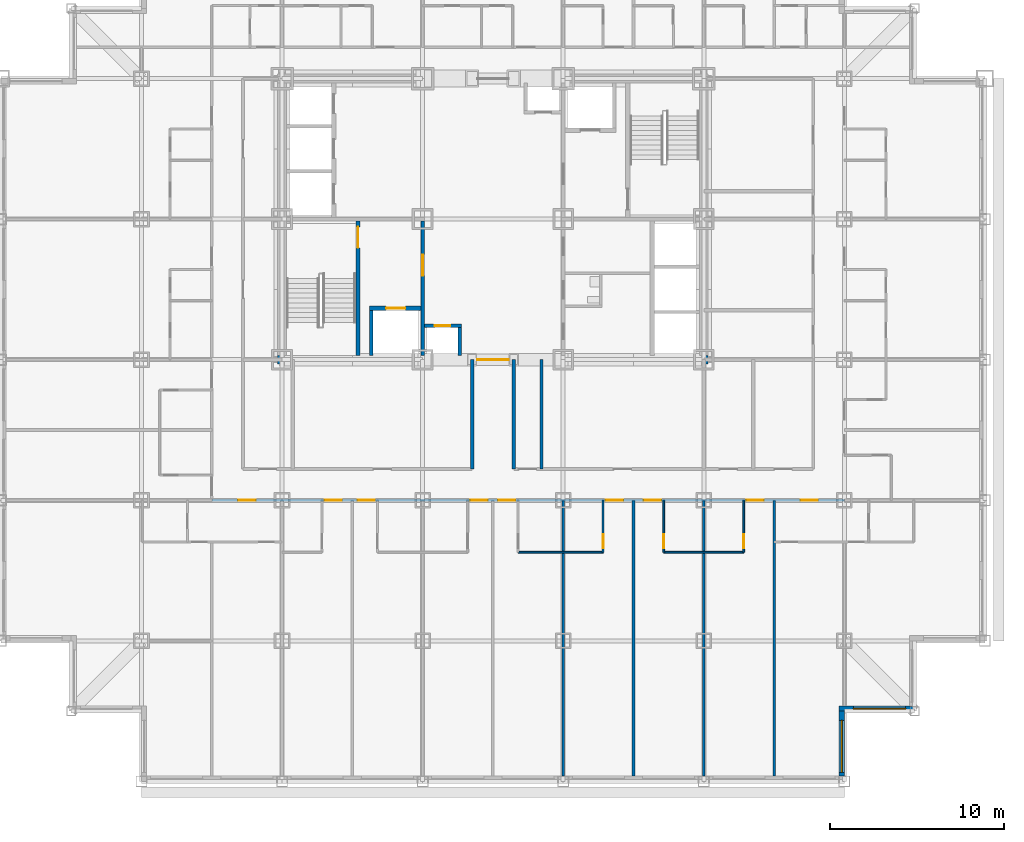
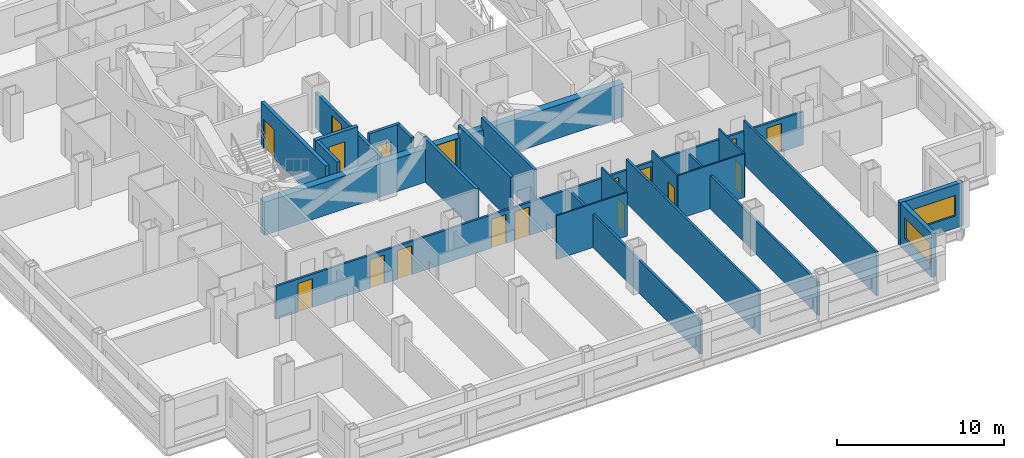
# One storey, part 5 of 12: 22 walls, 17 doors, 2 windows, 19 openings.
"""IFC4 building model written with IfcOpenShell, lengths in metres."""

from ifc_helpers import new_model, si_unit, direction, frame, frame_2d, origin, place, context, subcontext, project, spatial, rectangle, extrude, material, layer, layer_set, type_object, element, fill, save


model = new_model("IFC4")

# Units and contexts
model_context = context("Model", 3, precision=1e-05, world=origin(), true_north=direction((0.0, 1.0)))
body_context = subcontext(model_context, "Body", "Model", "MODEL_VIEW")
ifc_project = project(units=[si_unit("LENGTHUNIT", "METRE"), si_unit("AREAUNIT", "SQUARE_METRE"), si_unit("VOLUMEUNIT", "CUBIC_METRE"), si_unit("PLANEANGLEUNIT", "RADIAN"), si_unit("MASSUNIT", "GRAM", prefix="KILO")], contexts=[model_context])

# Site, building, storey
site_placement = place(None, origin())
site = spatial("IfcSite", under=ifc_project, at=site_placement, CompositionType="ELEMENT")
building_placement = place(site_placement, origin())
building = spatial("IfcBuilding", under=site, at=building_placement, Name="Kopane Lantern Tower", CompositionType="ELEMENT")
storey_placement = place(building_placement, frame((0.0, 0.0, 77.199951171875)))
storey = spatial("IfcBuildingStorey", under=building, at=storey_placement, Name="L19", CompositionType="ELEMENT", Elevation=77.199951171875)

# Wall
ifc_material_1 = material(Name="Moisture-resistant board on steel studs", Category="steel")
ifc_layer_1 = layer(ifc_material_1, 0.10009765625)
ifc_layer_set_1 = layer_set([ifc_layer_1], Name="BATHROOM WALL 100")
wall_type_1 = type_object("IfcWallType", Name="BATHROOM WALL 100", PredefinedType="PARTITIONING", material=ifc_layer_set_1)
wall_1_placement = place(storey_placement, frame((29.800048828125, 13.199951171875, 0.0), z_axis=(0.0, 0.0, 1.0), x_axis=(1.0, 0.0, 0.0)))
element("IfcWall", 1, at=wall_1_placement, inside=storey, type_object=wall_type_1, Name="Bathroom Wall 100 L19", PredefinedType="PARTITIONING", context=body_context, shape_type="SweptSolid", body=[
    extrude(rectangle(XDim=4.89990234375, YDim=0.10009765625, at=frame_2d((2.449951171875, 0.0))), origin(), (0.0, 0.0, 1.0), 3.18994140625),
])

# Wall, opening, door
wall_2_placement = place(storey_placement, frame((34.699951171875, 16.199951171875, 0.0), z_axis=(0.0, 0.0, 1.0), x_axis=(0.0, -1.0, 0.0)))
wall_2 = element("IfcWall", 2, at=wall_2_placement, inside=storey, type_object=wall_type_1, Name="Bathroom Wall 100 L19", PredefinedType="PARTITIONING", context=body_context, shape_type="SweptSolid", body=[
    extrude(rectangle(XDim=3.0, YDim=0.10009765625, at=frame_2d((1.5, 0.0))), origin(), (0.0, 0.0, 1.0), 3.18994140625),
])
opening_1_placement = place(wall_2_placement, frame((1.949951171875, 0.0, 0.0)))
opening_1 = element("IfcOpeningElement", 3, at=opening_1_placement, cuts=wall_2, Name="Opening L19-021", PredefinedType="OPENING", context=body_context, shape_type="SweptSolid", body=[
    extrude(rectangle(XDim=0.800048828125, YDim=2.10009765625, at=frame_2d((0.39990234375, 1.050048828125))), frame((0.0, 0.06005859375, 0.0), z_axis=(0.0, -1.0, 0.0), x_axis=(1.0, 0.0, 0.0)), (0.0, 0.0, 1.0), 0.1201171875),
])
ifc_material_2 = material(Name="Timber door set", Category="wood")
door_type_1 = type_object("IfcDoorType", Name="DOOR D2 800x2100", OperationType="SINGLE_SWING_LEFT", PredefinedType="DOOR", material=ifc_material_2)
door_1_placement = place(opening_1_placement, origin())
door_1 = element("IfcDoor", 4, at=door_1_placement, inside=storey, type_object=door_type_1, Name="Door L19-021", OperationType="SINGLE_SWING_LEFT", OverallHeight=2.10009765625, OverallWidth=0.800048828125, PredefinedType="DOOR", context=body_context, shape_type="SweptSolid", body=[
    extrude(rectangle(XDim=0.800048828125, YDim=2.10009765625, at=frame_2d((0.39990234375, 1.050048828125))), frame((0.0, 0.02490234375, 0.0), z_axis=(0.0, -1.0, 0.0), x_axis=(1.0, 0.0, 0.0)), (0.0, 0.0, 1.0), 0.050048828125),
])
fill(opening_1, door_1)

# Wall
wall_3_placement = place(storey_placement, frame((38.199951171875, 13.199951171875, 0.0), z_axis=(0.0, 0.0, 1.0), x_axis=(1.0, 0.0, 0.0)))
element("IfcWall", 5, at=wall_3_placement, inside=storey, type_object=wall_type_1, Name="Bathroom Wall 100 L19", PredefinedType="PARTITIONING", context=body_context, shape_type="SweptSolid", body=[
    extrude(rectangle(XDim=4.60009765625, YDim=0.10009765625, at=frame_2d((2.300048828125, 0.0))), origin(), (0.0, 0.0, 1.0), 3.18994140625),
])

# Wall, opening, door
wall_4_placement = place(storey_placement, frame((38.199951171875, 16.199951171875, 0.0), z_axis=(0.0, 0.0, 1.0), x_axis=(0.0, -1.0, 0.0)))
wall_4 = element("IfcWall", 6, at=wall_4_placement, inside=storey, type_object=wall_type_1, Name="Bathroom Wall 100 L19", PredefinedType="PARTITIONING", context=body_context, shape_type="SweptSolid", body=[
    extrude(rectangle(XDim=3.0, YDim=0.10009765625, at=frame_2d((1.5, 0.0))), origin(), (0.0, 0.0, 1.0), 3.18994140625),
])
opening_2_placement = place(wall_4_placement, frame((1.949951171875, 0.0, 0.0)))
opening_2 = element("IfcOpeningElement", 7, at=opening_2_placement, cuts=wall_4, Name="Opening L19-023", PredefinedType="OPENING", context=body_context, shape_type="SweptSolid", body=[
    extrude(rectangle(XDim=0.800048828125, YDim=2.10009765625, at=frame_2d((0.39990234375, 1.050048828125))), frame((0.0, 0.06005859375, 0.0), z_axis=(0.0, -1.0, 0.0), x_axis=(1.0, 0.0, 0.0)), (0.0, 0.0, 1.0), 0.1201171875),
])
door_2_placement = place(opening_2_placement, origin())
door_2 = element("IfcDoor", 8, at=door_2_placement, inside=storey, type_object=door_type_1, Name="Door L19-023", OperationType="SINGLE_SWING_RIGHT", OverallHeight=2.10009765625, OverallWidth=0.800048828125, PredefinedType="DOOR", context=body_context, shape_type="SweptSolid", body=[
    extrude(rectangle(XDim=0.800048828125, YDim=2.10009765625, at=frame_2d((0.39990234375, 1.050048828125))), frame((0.0, 0.02490234375, 0.0), z_axis=(0.0, -1.0, 0.0), x_axis=(1.0, 0.0, 0.0)), (0.0, 0.0, 1.0), 0.050048828125),
])
fill(opening_2, door_2)

wall_5_placement = place(storey_placement, frame((42.800048828125, 16.199951171875, 0.0), z_axis=(0.0, 0.0, 1.0), x_axis=(0.0, -1.0, 0.0)))
wall_5 = element("IfcWall", 9, at=wall_5_placement, inside=storey, type_object=wall_type_1, Name="Bathroom Wall 100 L19", PredefinedType="PARTITIONING", context=body_context, shape_type="SweptSolid", body=[
    extrude(rectangle(XDim=3.0, YDim=0.10009765625, at=frame_2d((1.5, 0.0))), origin(), (0.0, 0.0, 1.0), 3.18994140625),
])
opening_3_placement = place(wall_5_placement, frame((1.949951171875, 0.0, 0.0)))
opening_3 = element("IfcOpeningElement", 10, at=opening_3_placement, cuts=wall_5, Name="Opening L19-025", PredefinedType="OPENING", context=body_context, shape_type="SweptSolid", body=[
    extrude(rectangle(XDim=0.800048828125, YDim=2.10009765625, at=frame_2d((0.39990234375, 1.050048828125))), frame((0.0, 0.06005859375, 0.0), z_axis=(0.0, -1.0, 0.0), x_axis=(1.0, 0.0, 0.0)), (0.0, 0.0, 1.0), 0.1201171875),
])
door_3_placement = place(opening_3_placement, origin())
door_3 = element("IfcDoor", 11, at=door_3_placement, inside=storey, type_object=door_type_1, Name="Door L19-025", OperationType="SINGLE_SWING_LEFT", OverallHeight=2.10009765625, OverallWidth=0.800048828125, PredefinedType="DOOR", context=body_context, shape_type="SweptSolid", body=[
    extrude(rectangle(XDim=0.800048828125, YDim=2.10009765625, at=frame_2d((0.39990234375, 1.050048828125))), frame((0.0, 0.02490234375, 0.0), z_axis=(0.0, -1.0, 0.0), x_axis=(1.0, 0.0, 0.0)), (0.0, 0.0, 1.0), 0.050048828125),
])
fill(opening_3, door_3)

ifc_material_3 = material(Name="Gypsum shaft wall EI 120", Category="gypsum")
ifc_layer_2 = layer(ifc_material_3, 0.5)
ifc_layer_set_2 = layer_set([ifc_layer_2], Name="CORE PERIMETER WALL 500 EI 120")
wall_type_2 = type_object("IfcWallType", Name="CORE PERIMETER WALL 500 EI 120", PredefinedType="SOLIDWALL", material=ifc_layer_set_2)
wall_6_placement = place(storey_placement, frame((15.949951171875, 24.300048828125, 0.0), z_axis=(0.0, 0.0, 1.0), x_axis=(1.0, 0.0, 0.0)))
wall_6 = element("IfcWall", 12, at=wall_6_placement, inside=storey, type_object=wall_type_2, Name="Core shaft wall L19 PS", PredefinedType="SOLIDWALL", context=body_context, shape_type="SweptSolid", body=[
    extrude(rectangle(XDim=24.800048828125, YDim=0.5, at=frame_2d((12.39990234375, 0.0))), origin(), (0.0, 0.0, 1.0), 2.427734375),
])
opening_4_placement = place(wall_6_placement, frame((11.5, 0.0, 0.0)))
opening_4 = element("IfcOpeningElement", 13, at=opening_4_placement, cuts=wall_6, Name="Opening 19.CE-S", PredefinedType="OPENING", context=body_context, shape_type="SweptSolid", body=[
    extrude(rectangle(XDim=1.800048828125, YDim=2.39990234375, at=frame_2d((0.89990234375, 1.199951171875))), frame((0.0, 0.260009765625, 0.0), z_axis=(0.0, -1.0, 0.0), x_axis=(1.0, 0.0, 0.0)), (0.0, 0.0, 1.0), 0.52001953125),
])
ifc_material_4 = material(Name="Steel door set", Category="steel")
door_type_2 = type_object("IfcDoorType", Name="CORE ENTRY DOOR 1800x2400 FD60S", OperationType="DOUBLE_DOOR_SINGLE_SWING", PredefinedType="DOOR", material=ifc_material_4)
door_4_placement = place(opening_4_placement, origin())
door_4 = element("IfcDoor", 14, at=door_4_placement, inside=storey, type_object=door_type_2, Name="Core entry door L19 south", OperationType="DOUBLE_DOOR_SINGLE_SWING", OverallHeight=2.39990234375, OverallWidth=1.800048828125, PredefinedType="DOOR", context=body_context, shape_type="SweptSolid", body=[
    extrude(rectangle(XDim=1.800048828125, YDim=2.39990234375, at=frame_2d((0.89990234375, 1.199951171875))), frame((0.0, 0.02490234375, 0.0), z_axis=(0.0, -1.0, 0.0), x_axis=(1.0, 0.0, 0.0)), (0.0, 0.0, 1.0), 0.050048828125),
])
fill(opening_4, door_4)

ifc_material_5 = material(Name="Gypsum shaft wall EI 120", Category="gypsum")
ifc_layer_3 = layer(ifc_material_5, 0.25)
ifc_layer_set_3 = layer_set([ifc_layer_3], Name="CORE SHAFT WALL 250 EI 120")
wall_type_3 = type_object("IfcWallType", Name="CORE SHAFT WALL 250 EI 120", PredefinedType="SOLIDWALL", material=ifc_layer_set_3)
wall_7_placement = place(storey_placement, frame((20.574951171875, 24.550048828125, 0.0), z_axis=(0.0, 0.0, 1.0), x_axis=(0.0, 1.0, 0.0)))
wall_7 = element("IfcWall", 15, at=wall_7_placement, inside=storey, type_object=wall_type_3, Name="Core shaft wall L19 XST1", PredefinedType="SOLIDWALL", context=body_context, shape_type="SweptSolid", body=[
    extrude(rectangle(XDim=7.75, YDim=0.25, at=frame_2d((3.875, 0.0))), origin(), (0.0, 0.0, 1.0), 3.18994140625),
])
opening_5_placement = place(wall_7_placement, frame((6.199951171875, 0.0, 0.0)))
opening_5 = element("IfcOpeningElement", 16, at=opening_5_placement, cuts=wall_7, Name="Opening 19.SD1", PredefinedType="OPENING", context=body_context, shape_type="SweptSolid", body=[
    extrude(rectangle(XDim=1.199951171875, YDim=2.10009765625, at=frame_2d((0.60009765625, 1.050048828125))), frame((0.0, 0.135009765625, 0.0), z_axis=(0.0, -1.0, 0.0), x_axis=(1.0, 0.0, 0.0)), (0.0, 0.0, 1.0), 0.27001953125),
])
ifc_material_6 = material(Name="Steel door set", Category="steel")
door_type_3 = type_object("IfcDoorType", Name="STAIR DOOR 1200x2100 FD60S", OperationType="SINGLE_SWING_LEFT", PredefinedType="DOOR", material=ifc_material_6)
door_5_placement = place(opening_5_placement, origin())
door_5 = element("IfcDoor", 17, at=door_5_placement, inside=storey, type_object=door_type_3, Name="Stair door ST1 L19", OperationType="SINGLE_SWING_LEFT", OverallHeight=2.10009765625, OverallWidth=1.199951171875, PredefinedType="DOOR", context=body_context, shape_type="SweptSolid", body=[
    extrude(rectangle(XDim=1.199951171875, YDim=2.10009765625, at=frame_2d((0.60009765625, 1.050048828125))), frame((0.0, 0.02490234375, 0.0), z_axis=(0.0, -1.0, 0.0), x_axis=(1.0, 0.0, 0.0)), (0.0, 0.0, 1.0), 0.050048828125),
])
fill(opening_5, door_5)

wall_8_placement = place(storey_placement, frame((21.25, 27.27490234375, 0.0), z_axis=(0.0, 0.0, 1.0), x_axis=(1.0, 0.0, 0.0)))
wall_8 = element("IfcWall", 18, at=wall_8_placement, inside=storey, type_object=wall_type_3, Name="Core shaft wall L19 YLF1", PredefinedType="SOLIDWALL", context=body_context, shape_type="SweptSolid", body=[
    extrude(rectangle(XDim=2.949951171875, YDim=0.25, at=frame_2d((1.47509765625, 0.0))), origin(), (0.0, 0.0, 1.0), 3.18994140625),
])
opening_6_placement = place(wall_8_placement, frame((0.949951171875, 0.0, 0.0)))
opening_6 = element("IfcOpeningElement", 19, at=opening_6_placement, cuts=wall_8, Name="Opening 19.LD-LF1", PredefinedType="OPENING", context=body_context, shape_type="SweptSolid", body=[
    extrude(rectangle(XDim=1.10009765625, YDim=2.39990234375, at=frame_2d((0.550048828125, 1.199951171875))), frame((0.0, 0.135009765625, 0.0), z_axis=(0.0, -1.0, 0.0), x_axis=(1.0, 0.0, 0.0)), (0.0, 0.0, 1.0), 0.27001953125),
])
ifc_material_7 = material(Name="Steel door set", Category="steel")
door_type_4 = type_object("IfcDoorType", Name="LIFT LANDING DOOR 1100x2400 FD60", OperationType="DOUBLE_DOOR_SLIDING", PredefinedType="DOOR", material=ifc_material_7)
door_6_placement = place(opening_6_placement, origin())
door_6 = element("IfcDoor", 20, at=door_6_placement, inside=storey, type_object=door_type_4, Name="Landing door LF1 L19", OperationType="DOUBLE_DOOR_SLIDING", OverallHeight=2.39990234375, OverallWidth=1.10009765625, PredefinedType="DOOR", context=body_context, shape_type="SweptSolid", body=[
    extrude(rectangle(XDim=1.10009765625, YDim=2.39990234375, at=frame_2d((0.550048828125, 1.199951171875))), frame((0.0, 0.02490234375, 0.0), z_axis=(0.0, -1.0, 0.0), x_axis=(1.0, 0.0, 0.0)), (0.0, 0.0, 1.0), 0.050048828125),
])
fill(opening_6, door_6)

# Wall, openings, doors
ifc_material_8 = material(Name="Gypsum board on steel studs", Category="steel")
ifc_layer_4 = layer(ifc_material_8, 0.14990234375)
ifc_layer_set_4 = layer_set([ifc_layer_4], Name="CORRIDOR WALL 150 EI 60")
wall_type_4 = type_object("IfcWallType", Name="CORRIDOR WALL 150 EI 60", PredefinedType="PARTITIONING", material=ifc_layer_set_4)
wall_9_placement = place(storey_placement, frame((12.14990234375, 16.199951171875, 0.0), z_axis=(0.0, 0.0, 1.0), x_axis=(1.0, 0.0, 0.0)))
wall_9 = element("IfcWall", 21, at=wall_9_placement, inside=storey, type_object=wall_type_4, Name="Corridor Wall 150 Ei 60 L19", PredefinedType="PARTITIONING", context=body_context, shape_type="SweptSolid", body=[
    extrude(rectangle(XDim=36.4501953125, YDim=0.14990234375, at=frame_2d((18.22509765625, 0.0))), origin(), (0.0, 0.0, 1.0), 2.427734375),
])
opening_7_placement = place(wall_9_placement, frame((6.5, 0.0, 0.0)))
opening_7 = element("IfcOpeningElement", 22, at=opening_7_placement, cuts=wall_9, Name="Opening L19-014", PredefinedType="OPENING", context=body_context, shape_type="SweptSolid", body=[
    extrude(rectangle(XDim=1.0, YDim=2.10009765625, at=frame_2d((0.5, 1.050048828125))), frame((0.0, 0.0849609375, 0.0), z_axis=(0.0, -1.0, 0.0), x_axis=(1.0, 0.0, 0.0)), (0.0, 0.0, 1.0), 0.169921875),
])
opening_8_placement = place(wall_9_placement, frame((8.39990234375, 0.0, 0.0)))
opening_8 = element("IfcOpeningElement", 23, at=opening_8_placement, cuts=wall_9, Name="Opening L19-016", PredefinedType="OPENING", context=body_context, shape_type="SweptSolid", body=[
    extrude(rectangle(XDim=1.0, YDim=2.10009765625, at=frame_2d((0.5, 1.050048828125))), frame((0.0, 0.0849609375, 0.0), z_axis=(0.0, -1.0, 0.0), x_axis=(1.0, 0.0, 0.0)), (0.0, 0.0, 1.0), 0.169921875),
])
opening_9_placement = place(wall_9_placement, frame((14.89990234375, 0.0, 0.0)))
opening_9 = element("IfcOpeningElement", 24, at=opening_9_placement, cuts=wall_9, Name="Opening L19-018", PredefinedType="OPENING", context=body_context, shape_type="SweptSolid", body=[
    extrude(rectangle(XDim=1.0, YDim=2.10009765625, at=frame_2d((0.5, 1.050048828125))), frame((0.0, 0.0849609375, 0.0), z_axis=(0.0, -1.0, 0.0), x_axis=(1.0, 0.0, 0.0)), (0.0, 0.0, 1.0), 0.169921875),
])
opening_10_placement = place(wall_9_placement, frame((16.5, 0.0, 0.0)))
opening_10 = element("IfcOpeningElement", 25, at=opening_10_placement, cuts=wall_9, Name="Opening L19-020", PredefinedType="OPENING", context=body_context, shape_type="SweptSolid", body=[
    extrude(rectangle(XDim=1.0, YDim=2.10009765625, at=frame_2d((0.5, 1.050048828125))), frame((0.0, 0.0849609375, 0.0), z_axis=(0.0, -1.0, 0.0), x_axis=(1.0, 0.0, 0.0)), (0.0, 0.0, 1.0), 0.169921875),
])
opening_11_placement = place(wall_9_placement, frame((22.699951171875, 0.0, 0.0)))
opening_11 = element("IfcOpeningElement", 26, at=opening_11_placement, cuts=wall_9, Name="Opening L19-022", PredefinedType="OPENING", context=body_context, shape_type="SweptSolid", body=[
    extrude(rectangle(XDim=1.0, YDim=2.10009765625, at=frame_2d((0.5, 1.050048828125))), frame((0.0, 0.0849609375, 0.0), z_axis=(0.0, -1.0, 0.0), x_axis=(1.0, 0.0, 0.0)), (0.0, 0.0, 1.0), 0.169921875),
])
opening_12_placement = place(wall_9_placement, frame((24.89990234375, 0.0, 0.0)))
opening_12 = element("IfcOpeningElement", 27, at=opening_12_placement, cuts=wall_9, Name="Opening L19-024", PredefinedType="OPENING", context=body_context, shape_type="SweptSolid", body=[
    extrude(rectangle(XDim=1.0, YDim=2.10009765625, at=frame_2d((0.5, 1.050048828125))), frame((0.0, 0.0849609375, 0.0), z_axis=(0.0, -1.0, 0.0), x_axis=(1.0, 0.0, 0.0)), (0.0, 0.0, 1.0), 0.169921875),
])
opening_13_placement = place(wall_9_placement, frame((30.800048828125, 0.0, 0.0)))
opening_13 = element("IfcOpeningElement", 28, at=opening_13_placement, cuts=wall_9, Name="Opening L19-026", PredefinedType="OPENING", context=body_context, shape_type="SweptSolid", body=[
    extrude(rectangle(XDim=1.0, YDim=2.10009765625, at=frame_2d((0.5, 1.050048828125))), frame((0.0, 0.0849609375, 0.0), z_axis=(0.0, -1.0, 0.0), x_axis=(1.0, 0.0, 0.0)), (0.0, 0.0, 1.0), 0.169921875),
])
opening_14_placement = place(wall_9_placement, frame((1.52490234375, 0.0, 0.0)))
opening_14 = element("IfcOpeningElement", 29, at=opening_14_placement, cuts=wall_9, Name="Opening L19-059", PredefinedType="OPENING", context=body_context, shape_type="SweptSolid", body=[
    extrude(rectangle(XDim=1.0, YDim=2.10009765625, at=frame_2d((0.5, 1.050048828125))), frame((0.0, 0.0849609375, 0.0), z_axis=(0.0, -1.0, 0.0), x_axis=(1.0, 0.0, 0.0)), (0.0, 0.0, 1.0), 0.169921875),
])
opening_15_placement = place(wall_9_placement, frame((33.925048828125, 0.0, 0.0)))
opening_15 = element("IfcOpeningElement", 30, at=opening_15_placement, cuts=wall_9, Name="Opening L19-063", PredefinedType="OPENING", context=body_context, shape_type="SweptSolid", body=[
    extrude(rectangle(XDim=1.0, YDim=2.10009765625, at=frame_2d((0.5, 1.050048828125))), frame((0.0, 0.0849609375, 0.0), z_axis=(0.0, -1.0, 0.0), x_axis=(1.0, 0.0, 0.0)), (0.0, 0.0, 1.0), 0.169921875),
])
ifc_material_9 = material(Name="Steel door set", Category="steel")
door_type_5 = type_object("IfcDoorType", Name="DOOR D1 1000x2100 FD30S", OperationType="SINGLE_SWING_LEFT", PredefinedType="DOOR", material=ifc_material_9)
door_7_placement = place(opening_7_placement, origin())
door_7 = element("IfcDoor", 31, at=door_7_placement, inside=storey, type_object=door_type_5, Name="Door L19-014", OperationType="SINGLE_SWING_RIGHT", OverallHeight=2.10009765625, OverallWidth=1.0, PredefinedType="DOOR", context=body_context, shape_type="SweptSolid", body=[
    extrude(rectangle(XDim=1.0, YDim=2.10009765625, at=frame_2d((0.5, 1.050048828125))), frame((0.0, 0.02490234375, 0.0), z_axis=(0.0, -1.0, 0.0), x_axis=(1.0, 0.0, 0.0)), (0.0, 0.0, 1.0), 0.050048828125),
])
fill(opening_7, door_7)
door_8_placement = place(opening_8_placement, origin())
door_8 = element("IfcDoor", 32, at=door_8_placement, inside=storey, type_object=door_type_5, Name="Door L19-016", OperationType="SINGLE_SWING_LEFT", OverallHeight=2.10009765625, OverallWidth=1.0, PredefinedType="DOOR", context=body_context, shape_type="SweptSolid", body=[
    extrude(rectangle(XDim=1.0, YDim=2.10009765625, at=frame_2d((0.5, 1.050048828125))), frame((0.0, 0.02490234375, 0.0), z_axis=(0.0, -1.0, 0.0), x_axis=(1.0, 0.0, 0.0)), (0.0, 0.0, 1.0), 0.050048828125),
])
fill(opening_8, door_8)
door_9_placement = place(opening_9_placement, origin())
door_9 = element("IfcDoor", 33, at=door_9_placement, inside=storey, type_object=door_type_5, Name="Door L19-018", OperationType="SINGLE_SWING_RIGHT", OverallHeight=2.10009765625, OverallWidth=1.0, PredefinedType="DOOR", context=body_context, shape_type="SweptSolid", body=[
    extrude(rectangle(XDim=1.0, YDim=2.10009765625, at=frame_2d((0.5, 1.050048828125))), frame((0.0, 0.02490234375, 0.0), z_axis=(0.0, -1.0, 0.0), x_axis=(1.0, 0.0, 0.0)), (0.0, 0.0, 1.0), 0.050048828125),
])
fill(opening_9, door_9)
door_10_placement = place(opening_10_placement, origin())
door_10 = element("IfcDoor", 34, at=door_10_placement, inside=storey, type_object=door_type_5, Name="Door L19-020", OperationType="SINGLE_SWING_LEFT", OverallHeight=2.10009765625, OverallWidth=1.0, PredefinedType="DOOR", context=body_context, shape_type="SweptSolid", body=[
    extrude(rectangle(XDim=1.0, YDim=2.10009765625, at=frame_2d((0.5, 1.050048828125))), frame((0.0, 0.02490234375, 0.0), z_axis=(0.0, -1.0, 0.0), x_axis=(1.0, 0.0, 0.0)), (0.0, 0.0, 1.0), 0.050048828125),
])
fill(opening_10, door_10)
door_11_placement = place(opening_11_placement, origin())
door_11 = element("IfcDoor", 35, at=door_11_placement, inside=storey, type_object=door_type_5, Name="Door L19-022", OperationType="SINGLE_SWING_RIGHT", OverallHeight=2.10009765625, OverallWidth=1.0, PredefinedType="DOOR", context=body_context, shape_type="SweptSolid", body=[
    extrude(rectangle(XDim=1.0, YDim=2.10009765625, at=frame_2d((0.5, 1.050048828125))), frame((0.0, 0.02490234375, 0.0), z_axis=(0.0, -1.0, 0.0), x_axis=(1.0, 0.0, 0.0)), (0.0, 0.0, 1.0), 0.050048828125),
])
fill(opening_11, door_11)
door_12_placement = place(opening_12_placement, origin())
door_12 = element("IfcDoor", 36, at=door_12_placement, inside=storey, type_object=door_type_5, Name="Door L19-024", OperationType="SINGLE_SWING_LEFT", OverallHeight=2.10009765625, OverallWidth=1.0, PredefinedType="DOOR", context=body_context, shape_type="SweptSolid", body=[
    extrude(rectangle(XDim=1.0, YDim=2.10009765625, at=frame_2d((0.5, 1.050048828125))), frame((0.0, 0.02490234375, 0.0), z_axis=(0.0, -1.0, 0.0), x_axis=(1.0, 0.0, 0.0)), (0.0, 0.0, 1.0), 0.050048828125),
])
fill(opening_12, door_12)
door_13_placement = place(opening_13_placement, origin())
door_13 = element("IfcDoor", 37, at=door_13_placement, inside=storey, type_object=door_type_5, Name="Door L19-026", OperationType="SINGLE_SWING_RIGHT", OverallHeight=2.10009765625, OverallWidth=1.0, PredefinedType="DOOR", context=body_context, shape_type="SweptSolid", body=[
    extrude(rectangle(XDim=1.0, YDim=2.10009765625, at=frame_2d((0.5, 1.050048828125))), frame((0.0, 0.02490234375, 0.0), z_axis=(0.0, -1.0, 0.0), x_axis=(1.0, 0.0, 0.0)), (0.0, 0.0, 1.0), 0.050048828125),
])
fill(opening_13, door_13)
door_14_placement = place(opening_14_placement, origin())
door_14 = element("IfcDoor", 38, at=door_14_placement, inside=storey, type_object=door_type_5, Name="Door L19-059", OperationType="SINGLE_SWING_LEFT", OverallHeight=2.10009765625, OverallWidth=1.0, PredefinedType="DOOR", context=body_context, shape_type="SweptSolid", body=[
    extrude(rectangle(XDim=1.0, YDim=2.10009765625, at=frame_2d((0.5, 1.050048828125))), frame((0.0, 0.02490234375, 0.0), z_axis=(0.0, -1.0, 0.0), x_axis=(1.0, 0.0, 0.0)), (0.0, 0.0, 1.0), 0.050048828125),
])
fill(opening_14, door_14)
door_15_placement = place(opening_15_placement, origin())
door_15 = element("IfcDoor", 39, at=door_15_placement, inside=storey, type_object=door_type_5, Name="Door L19-063", OperationType="SINGLE_SWING_RIGHT", OverallHeight=2.10009765625, OverallWidth=1.0, PredefinedType="DOOR", context=body_context, shape_type="SweptSolid", body=[
    extrude(rectangle(XDim=1.0, YDim=2.10009765625, at=frame_2d((0.5, 1.050048828125))), frame((0.0, 0.02490234375, 0.0), z_axis=(0.0, -1.0, 0.0), x_axis=(1.0, 0.0, 0.0)), (0.0, 0.0, 1.0), 0.050048828125),
])
fill(opening_15, door_15)

# Walls
ifc_material_10 = material(Name="Gypsum board on steel studs", Category="steel")
ifc_layer_5 = layer(ifc_material_10, 0.14990234375)
ifc_layer_set_5 = layer_set([ifc_layer_5], Name="DEMISING WALL 150 EI 60")
wall_type_5 = type_object("IfcWallType", Name="DEMISING WALL 150 EI 60", PredefinedType="PARTITIONING", material=ifc_layer_set_5)
wall_10_placement = place(storey_placement, frame((32.39990234375, 16.199951171875, 0.0), z_axis=(0.0, 0.0, 1.0), x_axis=(0.0, -1.0, 0.0)))
element("IfcWall", 40, at=wall_10_placement, inside=storey, type_object=wall_type_5, Name="Demising Wall 150 Ei 60 L19", PredefinedType="PARTITIONING", context=body_context, shape_type="SweptSolid", body=[
    extrude(rectangle(XDim=15.89990234375, YDim=0.14990234375, at=frame_2d((7.949951171875, 0.0))), origin(), (0.0, 0.0, 1.0), 2.427734375),
])
wall_11_placement = place(storey_placement, frame((36.449951171875, 16.199951171875, 0.0), z_axis=(0.0, 0.0, 1.0), x_axis=(0.0, -1.0, 0.0)))
element("IfcWall", 41, at=wall_11_placement, inside=storey, type_object=wall_type_5, Name="Demising Wall 150 Ei 60 L19", PredefinedType="PARTITIONING", context=body_context, shape_type="SweptSolid", body=[
    extrude(rectangle(XDim=15.89990234375, YDim=0.14990234375, at=frame_2d((7.949951171875, 0.0))), origin(), (0.0, 0.0, 1.0), 3.18994140625),
])
wall_12_placement = place(storey_placement, frame((40.5, 16.199951171875, 0.0), z_axis=(0.0, 0.0, 1.0), x_axis=(0.0, -1.0, 0.0)))
element("IfcWall", 42, at=wall_12_placement, inside=storey, type_object=wall_type_5, Name="Demising Wall 150 Ei 60 L19", PredefinedType="PARTITIONING", context=body_context, shape_type="SweptSolid", body=[
    extrude(rectangle(XDim=15.89990234375, YDim=0.14990234375, at=frame_2d((7.949951171875, 0.0))), origin(), (0.0, 0.0, 1.0), 2.427734375),
])
wall_13_placement = place(storey_placement, frame((44.550048828125, 16.199951171875, 0.0), z_axis=(0.0, 0.0, 1.0), x_axis=(0.0, -1.0, 0.0)))
element("IfcWall", 43, at=wall_13_placement, inside=storey, type_object=wall_type_5, Name="Demising Wall 150 Ei 60 L19", PredefinedType="PARTITIONING", context=body_context, shape_type="SweptSolid", body=[
    extrude(rectangle(XDim=15.89990234375, YDim=0.14990234375, at=frame_2d((7.949951171875, 0.0))), origin(), (0.0, 0.0, 1.0), 3.18994140625),
])

# Wall, opening, window
ifc_material_11 = material(Name="Terracotta rainscreen on light steel framing", Category="masonry")
ifc_layer_6 = layer(ifc_material_11, 0.300048828125)
ifc_layer_set_6 = layer_set([ifc_layer_6], Name="EXTERNAL WALL EW1 300 TERRACOTTA")
wall_type_6 = type_object("IfcWallType", Name="EXTERNAL WALL EW1 300 TERRACOTTA", PredefinedType="SOLIDWALL", material=ifc_layer_set_6)
wall_14_placement = place(storey_placement, frame((48.449951171875, 0.300048828125, 0.0), z_axis=(0.0, 0.0, 1.0), x_axis=(0.0, 1.0, 0.0)))
wall_14 = element("IfcWall", 44, at=wall_14_placement, inside=storey, type_object=wall_type_6, Name="External wall E L19", PredefinedType="SOLIDWALL", context=body_context, shape_type="SweptSolid", body=[
    extrude(rectangle(XDim=3.75, YDim=0.300048828125, at=frame_2d((1.875, 0.0))), origin(), (0.0, 0.0, 1.0), 3.18994140625),
])
opening_16_placement = place(wall_14_placement, frame((0.22509765625, 0.0, 0.89990234375)))
opening_16 = element("IfcOpeningElement", 45, at=opening_16_placement, cuts=wall_14, Name="Opening WR300150", PredefinedType="OPENING", context=body_context, shape_type="SweptSolid", body=[
    extrude(rectangle(XDim=3.0, YDim=1.5, at=frame_2d((1.5, 0.75))), frame((0.0, 0.159912109375, 0.0), z_axis=(0.0, -1.0, 0.0), x_axis=(1.0, 0.0, 0.0)), (0.0, 0.0, 1.0), 0.320068359375),
])
ifc_material_12 = material(Name="Aluminium and clear glass", Category="aluminium")
window_type = type_object("IfcWindowType", Name="RIBBON WINDOW WR300150 3000x1500", PartitioningType="SINGLE_PANEL", PredefinedType="WINDOW", material=ifc_material_12)
window_1_placement = place(opening_16_placement, origin())
window_1 = element("IfcWindow", 46, at=window_1_placement, inside=storey, type_object=window_type, Name="Window E L19", OverallHeight=1.5, OverallWidth=3.0, PartitioningType="SINGLE_PANEL", PredefinedType="WINDOW", context=body_context, shape_type="SweptSolid", body=[
    extrude(rectangle(XDim=3.0, YDim=1.5, at=frame_2d((1.5, 0.75))), frame((0.0, 0.030029296875, 0.0), z_axis=(0.0, -1.0, 0.0), x_axis=(1.0, 0.0, 0.0)), (0.0, 0.0, 1.0), 0.06005859375),
])
fill(opening_16, window_1)

wall_15_placement = place(storey_placement, frame((48.300048828125, 4.199951171875, 0.0), z_axis=(0.0, 0.0, 1.0), x_axis=(1.0, 0.0, 0.0)))
wall_15 = element("IfcWall", 47, at=wall_15_placement, inside=storey, type_object=wall_type_6, Name="External wall S L19", PredefinedType="SOLIDWALL", context=body_context, shape_type="SweptSolid", body=[
    extrude(rectangle(XDim=4.349853515625, YDim=0.300048828125, at=frame_2d((2.1748046875, 0.0))), origin(), (0.0, 0.0, 1.0), 3.18994140625),
])
opening_17_placement = place(wall_15_placement, frame((0.824951171875, 0.0, 0.89990234375)))
opening_17 = element("IfcOpeningElement", 48, at=opening_17_placement, cuts=wall_15, Name="Opening WR300150", PredefinedType="OPENING", context=body_context, shape_type="SweptSolid", body=[
    extrude(rectangle(XDim=3.0, YDim=1.5, at=frame_2d((1.5, 0.75))), frame((0.0, 0.159912109375, 0.0), z_axis=(0.0, -1.0, 0.0), x_axis=(1.0, 0.0, 0.0)), (0.0, 0.0, 1.0), 0.320068359375),
])
window_2_placement = place(opening_17_placement, origin())
window_2 = element("IfcWindow", 49, at=window_2_placement, inside=storey, type_object=window_type, Name="Window S L19", OverallHeight=1.5, OverallWidth=3.0, PartitioningType="SINGLE_PANEL", PredefinedType="WINDOW", context=body_context, shape_type="SweptSolid", body=[
    extrude(rectangle(XDim=3.0, YDim=1.5, at=frame_2d((1.5, 0.75))), frame((0.0, 0.030029296875, 0.0), z_axis=(0.0, -1.0, 0.0), x_axis=(1.0, 0.0, 0.0)), (0.0, 0.0, 1.0), 0.06005859375),
])
fill(opening_17, window_2)

# Walls
ifc_material_13 = material(Name="Concrete masonry", Category="masonry")
ifc_layer_7 = layer(ifc_material_13, 0.199951171875)
ifc_layer_set_7 = layer_set([ifc_layer_7], Name="PLANT ROOM WALL 200 EI 120")
wall_type_7 = type_object("IfcWallType", Name="PLANT ROOM WALL 200 EI 120", PredefinedType="SOLIDWALL", material=ifc_layer_set_7)
for number, where, z_axis, x_axis, name in (
    (50, (31.14990234375, 18.0, 0.0), (0.0, 0.0, 1.0), (0.0, 1.0, 0.0), "Plant Room Wall 200 Ei 120 L19"),
    (51, (27.14990234375, 18.0, 0.0), (0.0, 0.0, 1.0), (0.0, 1.0, 0.0), "Plant Room Wall 200 Ei 120 L19"),
    (52, (29.550048828125, 18.0, 0.0), (0.0, 0.0, 1.0), (0.0, 1.0, 0.0), "Plant Room Wall 200 Ei 120 L19"),
):
    element("IfcWall", number, at=place(storey_placement, frame(where, z_axis=z_axis, x_axis=x_axis)), inside=storey, type_object=wall_type_7, Name=name, PredefinedType="SOLIDWALL", context=body_context, shape_type="SweptSolid", body=[
        extrude(rectangle(XDim=6.300048828125, YDim=0.199951171875, at=frame_2d((3.14990234375, 0.0))), origin(), (0.0, 0.0, 1.0), 3.18994140625),
    ])

# Wall, opening, door
ifc_material_14 = material(Name="Gypsum shaft wall EI 120", Category="gypsum")
ifc_layer_8 = layer(ifc_material_14, 0.199951171875)
ifc_layer_set_8 = layer_set([ifc_layer_8], Name="SHAFT WALL 200 EI 120")
wall_type_8 = type_object("IfcWallType", Name="SHAFT WALL 200 EI 120", PredefinedType="SOLIDWALL", material=ifc_layer_set_8)
wall_16_placement = place(storey_placement, frame((24.300048828125, 24.550048828125, 0.0), z_axis=(0.0, 0.0, 1.0), x_axis=(0.0, 1.0, 0.0)))
wall_16 = element("IfcWall", 53, at=wall_16_placement, inside=storey, type_object=wall_type_8, Name="Core shaft wall L19 X243", PredefinedType="SOLIDWALL", context=body_context, shape_type="SweptSolid", body=[
    extrude(rectangle(XDim=7.75, YDim=0.199951171875, at=frame_2d((3.875, 0.0))), origin(), (0.0, 0.0, 1.0), 2.577880859375),
])
opening_18_placement = place(wall_16_placement, frame((4.60009765625, 0.0, 0.0)))
opening_18 = element("IfcOpeningElement", 54, at=opening_18_placement, cuts=wall_16, Name="Opening 19.FL1", PredefinedType="OPENING", context=body_context, shape_type="SweptSolid", body=[
    extrude(rectangle(XDim=1.199951171875, YDim=2.10009765625, at=frame_2d((0.60009765625, 1.050048828125))), frame((0.0, 0.10986328125, 0.0), z_axis=(0.0, -1.0, 0.0), x_axis=(1.0, 0.0, 0.0)), (0.0, 0.0, 1.0), 0.219970703125),
])
ifc_material_15 = material(Name="Steel door set", Category="steel")
door_type_6 = type_object("IfcDoorType", Name="FIREFIGHTING LOBBY DOOR 1200x2100 FD60S", OperationType="SINGLE_SWING_RIGHT", PredefinedType="DOOR", material=ifc_material_15)
door_16_placement = place(opening_18_placement, origin())
door_16 = element("IfcDoor", 55, at=door_16_placement, inside=storey, type_object=door_type_6, Name="Firefighting lobby door FL1 L19", OperationType="SINGLE_SWING_LEFT", OverallHeight=2.10009765625, OverallWidth=1.199951171875, PredefinedType="DOOR", context=body_context, shape_type="SweptSolid", body=[
    extrude(rectangle(XDim=1.199951171875, YDim=2.10009765625, at=frame_2d((0.60009765625, 1.050048828125))), frame((0.0, 0.02490234375, 0.0), z_axis=(0.0, -1.0, 0.0), x_axis=(1.0, 0.0, 0.0)), (0.0, 0.0, 1.0), 0.050048828125),
])
fill(opening_18, door_16)

# Walls
wall_17_placement = place(storey_placement, frame((21.35009765625, 24.550048828125, 0.0), z_axis=(0.0, 0.0, 1.0), x_axis=(0.0, 1.0, 0.0)))
element("IfcWall", 56, at=wall_17_placement, inside=storey, type_object=wall_type_8, Name="Core shaft wall L19 XLF1", PredefinedType="SOLIDWALL", context=body_context, shape_type="SweptSolid", body=[
    extrude(rectangle(XDim=2.599853515625, YDim=0.199951171875, at=frame_2d((1.2998046875, 0.0))), origin(), (0.0, 0.0, 1.0), 3.18994140625),
])
wall_18_placement = place(storey_placement, frame((26.449951171875, 24.550048828125, 0.0), z_axis=(0.0, 0.0, 1.0), x_axis=(0.0, 1.0, 0.0)))
element("IfcWall", 57, at=wall_18_placement, inside=storey, type_object=wall_type_8, Name="Core shaft wall L19 XRS1", PredefinedType="SOLIDWALL", context=body_context, shape_type="SweptSolid", body=[
    extrude(rectangle(XDim=1.599853515625, YDim=0.199951171875, at=frame_2d((0.7998046875, 0.0))), origin(), (0.0, 0.0, 1.0), 3.18994140625),
])

# Wall, opening, door
wall_19_placement = place(storey_placement, frame((24.39990234375, 26.25, 0.0), z_axis=(0.0, 0.0, 1.0), x_axis=(1.0, 0.0, 0.0)))
wall_19 = element("IfcWall", 58, at=wall_19_placement, inside=storey, type_object=wall_type_8, Name="Core shaft wall L19 YRS1", PredefinedType="SOLIDWALL", context=body_context, shape_type="SweptSolid", body=[
    extrude(rectangle(XDim=2.150146484375, YDim=0.199951171875, at=frame_2d((1.0751953125, 0.0))), origin(), (0.0, 0.0, 1.0), 3.18994140625),
])
opening_19_placement = place(wall_19_placement, frame((0.60009765625, 0.0, 0.0)))
opening_19 = element("IfcOpeningElement", 59, at=opening_19_placement, cuts=wall_19, Name="Opening 19.RS1", PredefinedType="OPENING", context=body_context, shape_type="SweptSolid", body=[
    extrude(rectangle(XDim=0.89990234375, YDim=2.10009765625, at=frame_2d((0.449951171875, 1.050048828125))), frame((0.0, 0.10986328125, 0.0), z_axis=(0.0, -1.0, 0.0), x_axis=(1.0, 0.0, 0.0)), (0.0, 0.0, 1.0), 0.219970703125),
])
ifc_material_16 = material(Name="Steel door set", Category="steel")
door_type_7 = type_object("IfcDoorType", Name="RISER ACCESS DOOR 900x2100 FD60", OperationType="SINGLE_SWING_LEFT", PredefinedType="DOOR", material=ifc_material_16)
door_17_placement = place(opening_19_placement, origin())
door_17 = element("IfcDoor", 60, at=door_17_placement, inside=storey, type_object=door_type_7, Name="Riser access door RS1 L19", OperationType="SINGLE_SWING_LEFT", OverallHeight=2.10009765625, OverallWidth=0.89990234375, PredefinedType="DOOR", context=body_context, shape_type="SweptSolid", body=[
    extrude(rectangle(XDim=0.89990234375, YDim=2.10009765625, at=frame_2d((0.449951171875, 1.050048828125))), frame((0.0, 0.02490234375, 0.0), z_axis=(0.0, -1.0, 0.0), x_axis=(1.0, 0.0, 0.0)), (0.0, 0.0, 1.0), 0.050048828125),
])
fill(opening_19, door_17)

save(model, "model.ifc")
